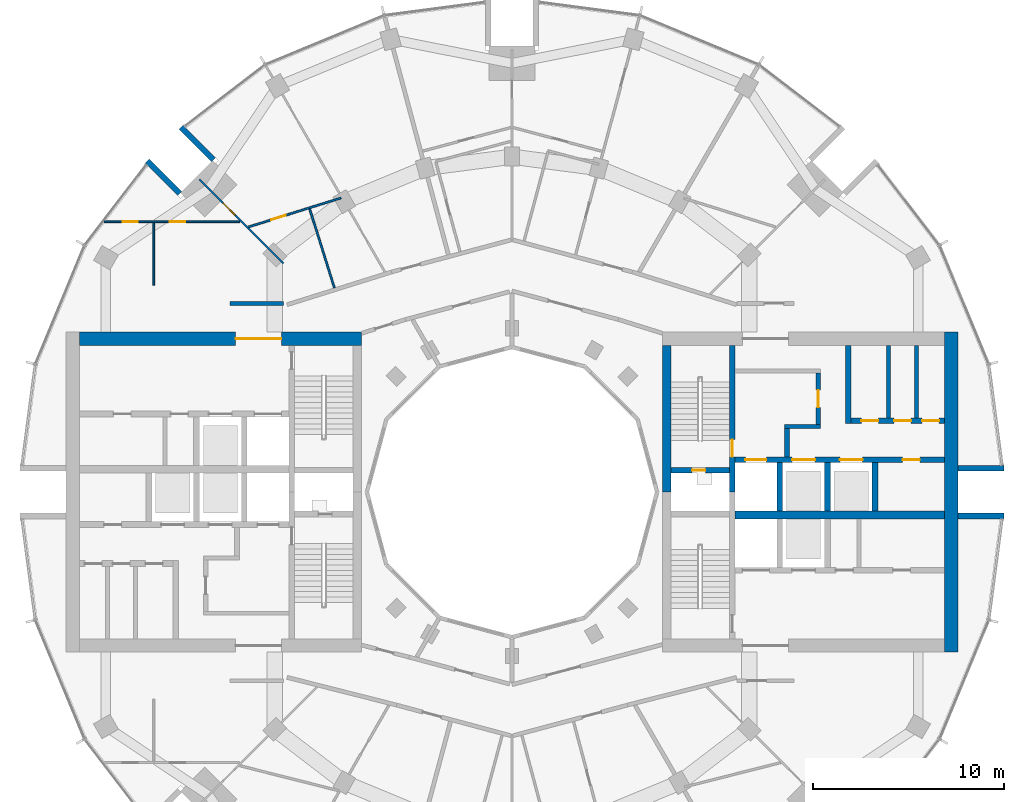
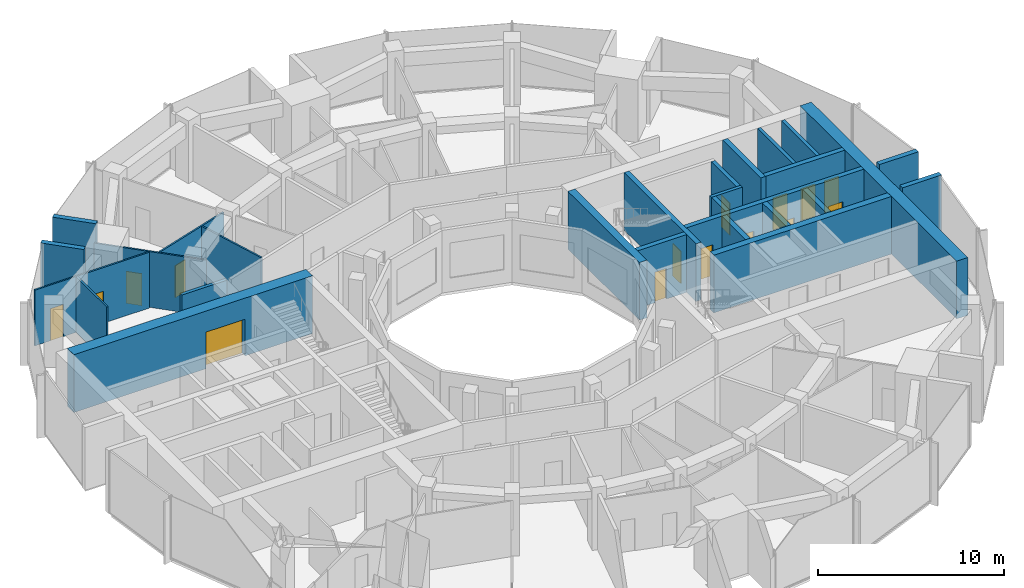
# One storey, part 11 of 15: 27 walls, 15 doors, 15 openings.
"""IFC4 building model written with IfcOpenShell, lengths in metres."""

from ifc_helpers import new_model, si_unit, direction, frame, frame_2d, origin, place, context, subcontext, project, spatial, rectangle, extrude, material, layer, layer_set, type_object, element, fill, save


model = new_model("IFC4")

# Units and contexts
model_context = context("Model", 3, precision=1e-05, world=origin(), true_north=direction((0.0, 1.0)))
body_context = subcontext(model_context, "Body", "Model", "MODEL_VIEW")
ifc_project = project(units=[si_unit("LENGTHUNIT", "METRE"), si_unit("AREAUNIT", "SQUARE_METRE"), si_unit("VOLUMEUNIT", "CUBIC_METRE"), si_unit("PLANEANGLEUNIT", "RADIAN"), si_unit("MASSUNIT", "GRAM", prefix="KILO")], contexts=[model_context])

# Site, building, storey
site_placement = place(None, origin())
site = spatial("IfcSite", under=ifc_project, at=site_placement, CompositionType="ELEMENT")
building_placement = place(site_placement, origin())
building = spatial("IfcBuilding", under=site, at=building_placement, Name="Torre Brocal", CompositionType="ELEMENT")
storey_placement = place(building_placement, frame((0.0, 0.0, 198.699951171875)))
storey = spatial("IfcBuildingStorey", under=building, at=storey_placement, Name="L46", CompositionType="ELEMENT", Elevation=198.699951171875)

# Walls
ifc_material_1 = material(Name="Masonry block", Category="masonry")
ifc_layer_1 = layer(ifc_material_1, 0.199951171875)
ifc_layer_set_1 = layer_set([ifc_layer_1], Name="Masonry block")
wall_type_1 = type_object("IfcWallType", Name="CORE PARTITION 200", PredefinedType="PARTITIONING", material=ifc_layer_set_1)
for number, where, z_axis, x_axis, name in (
    (1, (99.760009765625, 78.89990234375, 0.0), (0.0, 0.0, 1.0), (0.0, 1.0, 0.0), "Wall CP200"),
    (2, (101.22998046875, 78.89990234375, 0.0), (0.0, 0.0, 1.0), (0.0, 1.0, 0.0), "Wall CP200"),
):
    element("IfcWall", number, at=place(storey_placement, frame(where, z_axis=z_axis, x_axis=x_axis)), inside=storey, type_object=wall_type_1, Name=name, PredefinedType="PARTITIONING", context=body_context, shape_type="SweptSolid", body=[
        extrude(rectangle(XDim=3.800048828125, YDim=0.199951171875, at=frame_2d((1.89990234375, 0.0))), origin(), (0.0, 0.0, 1.0), 3.780029296875),
    ])
ifc_material_2 = material(Name="Concrete C70", Category="concrete")
ifc_layer_2 = layer(ifc_material_2, 0.199951171875)
ifc_layer_set_2 = layer_set([ifc_layer_2], Name="Concrete C70")
wall_type_2 = type_object("IfcWallType", Name="CORE WALL 200 C70", PredefinedType="SHEAR", material=ifc_layer_set_2)
wall_1_placement = place(storey_placement, frame((94.300048828125, 78.449951171875, 0.0), z_axis=(0.0, 0.0, 1.0), x_axis=(1.0, 0.0, 0.0)))
element("IfcWall", 3, at=wall_1_placement, inside=storey, type_object=wall_type_2, Name="Wall CW200-70", PredefinedType="SHEAR", context=body_context, shape_type="SweptSolid", body=[
    extrude(rectangle(XDim=1.89990234375, YDim=0.199951171875, at=frame_2d((0.949951171875, 0.0))), origin(), (0.0, 0.0, 1.0), 3.780029296875),
])

# Wall, opening, door
ifc_material_3 = material(Name="Concrete C70", Category="concrete")
ifc_layer_3 = layer(ifc_material_3, 0.25)
ifc_layer_set_3 = layer_set([ifc_layer_3], Name="Concrete C70")
wall_type_3 = type_object("IfcWallType", Name="CORE WALL 250 C70", PredefinedType="SHEAR", material=ifc_layer_set_3)
wall_2_placement = place(storey_placement, frame((96.074951171875, 78.550048828125, 0.0), z_axis=(0.0, 0.0, 1.0), x_axis=(0.0, 1.0, 0.0)))
wall_2 = element("IfcWall", 4, at=wall_2_placement, inside=storey, type_object=wall_type_3, Name="Wall CW250-70", PredefinedType="SHEAR", context=body_context, shape_type="SweptSolid", body=[
    extrude(rectangle(XDim=2.699951171875, YDim=0.25, at=frame_2d((1.35009765625, 0.0))), origin(), (0.0, 0.0, 1.0), 3.780029296875),
])
opening_1_placement = place(wall_2_placement, frame((0.89990234375, 0.0, 0.0)))
opening_1 = element("IfcOpeningElement", 5, at=opening_1_placement, cuts=wall_2, Name="Opening E-D26", PredefinedType="OPENING", context=body_context, shape_type="SweptSolid", body=[
    extrude(rectangle(XDim=0.89990234375, YDim=2.10009765625, at=frame_2d((0.449951171875, 1.050048828125))), frame((0.0, 0.135009765625, 0.0), z_axis=(0.0, -1.0, 0.0), x_axis=(1.0, 0.0, 0.0)), (0.0, 0.0, 1.0), 0.27001953125),
])
ifc_material_4 = material(Name="Steel A653", Category="steel")
door_type_1 = type_object("IfcDoorType", Name="LOBBY DOOR FD120 900X2100", OperationType="SINGLE_SWING_RIGHT", PredefinedType="DOOR", material=ifc_material_4)
door_1_placement = place(opening_1_placement, origin())
door_1 = element("IfcDoor", 6, at=door_1_placement, inside=storey, type_object=door_type_1, Name="Door E-D26", OperationType="SINGLE_SWING_LEFT", OverallHeight=2.10009765625, OverallWidth=0.89990234375, PredefinedType="DOOR", context=body_context, shape_type="SweptSolid", body=[
    extrude(rectangle(XDim=0.89990234375, YDim=2.10009765625, at=frame_2d((0.449951171875, 1.050048828125))), frame((0.0, 0.02490234375, 0.0), z_axis=(0.0, -1.0, 0.0), x_axis=(1.0, 0.0, 0.0)), (0.0, 0.0, 1.0), 0.050048828125),
])
fill(opening_1, door_1)

# Wall
wall_3_placement = place(storey_placement, frame((94.425048828125, 76.85009765625, 0.0), z_axis=(0.0, 0.0, 1.0), x_axis=(0.0, 1.0, 0.0)))
element("IfcWall", 7, at=wall_3_placement, inside=storey, type_object=wall_type_3, Name="Wall CW250-70", PredefinedType="SHEAR", context=body_context, shape_type="SweptSolid", body=[
    extrude(rectangle(XDim=1.5, YDim=0.25, at=frame_2d((0.75, 0.0))), origin(), (0.0, 0.0, 1.0), 3.780029296875),
])

# Wall, opening, door
ifc_material_5 = material(Name="Concrete C70", Category="concrete")
ifc_layer_4 = layer(ifc_material_5, 0.300048828125)
ifc_layer_set_4 = layer_set([ifc_layer_4], Name="Concrete C70")
wall_type_4 = type_object("IfcWallType", Name="CORE WALL 300 C70", PredefinedType="SHEAR", material=ifc_layer_set_4)
wall_4_placement = place(storey_placement, frame((91.550048828125, 75.0, 0.0), z_axis=(0.0, 0.0, 1.0), x_axis=(0.0, 1.0, 0.0)))
wall_4 = element("IfcWall", 8, at=wall_4_placement, inside=storey, type_object=wall_type_4, Name="Wall CW300-70", PredefinedType="SHEAR", context=body_context, shape_type="SweptSolid", body=[
    extrude(rectangle(XDim=7.699951171875, YDim=0.300048828125, at=frame_2d((3.85009765625, 0.0))), origin(), (0.0, 0.0, 1.0), 3.780029296875),
])
opening_2_placement = place(wall_4_placement, frame((1.85009765625, 0.0, 0.0)))
opening_2 = element("IfcOpeningElement", 9, at=opening_2_placement, cuts=wall_4, Name="Opening E-D02", PredefinedType="OPENING", context=body_context, shape_type="SweptSolid", body=[
    extrude(rectangle(XDim=0.89990234375, YDim=2.10009765625, at=frame_2d((0.449951171875, 1.050048828125))), frame((0.0, 0.159912109375, 0.0), z_axis=(0.0, -1.0, 0.0), x_axis=(1.0, 0.0, 0.0)), (0.0, 0.0, 1.0), 0.320068359375),
])
ifc_material_6 = material(Name="Steel A653", Category="steel")
door_type_2 = type_object("IfcDoorType", Name="STAIR DOOR FD120 900X2100", OperationType="SINGLE_SWING_RIGHT", PredefinedType="DOOR", material=ifc_material_6)
door_2_placement = place(opening_2_placement, origin())
door_2 = element("IfcDoor", 10, at=door_2_placement, inside=storey, type_object=door_type_2, Name="Door E-D02", OperationType="SINGLE_SWING_LEFT", OverallHeight=2.10009765625, OverallWidth=0.89990234375, PredefinedType="DOOR", context=body_context, shape_type="SweptSolid", body=[
    extrude(rectangle(XDim=0.89990234375, YDim=2.10009765625, at=frame_2d((0.449951171875, 1.050048828125))), frame((0.0, 0.02490234375, 0.0), z_axis=(0.0, -1.0, 0.0), x_axis=(1.0, 0.0, 0.0)), (0.0, 0.0, 1.0), 0.050048828125),
])
fill(opening_2, door_2)

wall_5_placement = place(storey_placement, frame((88.35009765625, 76.14990234375, 0.0), z_axis=(0.0, 0.0, 1.0), x_axis=(1.0, 0.0, 0.0)))
wall_5 = element("IfcWall", 11, at=wall_5_placement, inside=storey, type_object=wall_type_4, Name="Wall CW300-70", PredefinedType="SHEAR", context=body_context, shape_type="SweptSolid", body=[
    extrude(rectangle(XDim=3.0498046875, YDim=0.300048828125, at=frame_2d((1.52490234375, 0.0))), origin(), (0.0, 0.0, 1.0), 3.780029296875),
])
opening_3_placement = place(wall_5_placement, frame((1.10009765625, 0.0, 0.0)))
opening_3 = element("IfcOpeningElement", 12, at=opening_3_placement, cuts=wall_5, Name="Opening E-D01", PredefinedType="OPENING", context=body_context, shape_type="SweptSolid", body=[
    extrude(rectangle(XDim=0.699951171875, YDim=2.0, at=frame_2d((0.35009765625, 1.0))), frame((0.0, 0.159912109375, 0.0), z_axis=(0.0, -1.0, 0.0), x_axis=(1.0, 0.0, 0.0)), (0.0, 0.0, 1.0), 0.320068359375),
])
ifc_material_7 = material(Name="Steel A653", Category="steel")
door_type_3 = type_object("IfcDoorType", Name="RISER DOOR FD120 700X2000", OperationType="SINGLE_SWING_LEFT", PredefinedType="DOOR", material=ifc_material_7)
door_3_placement = place(opening_3_placement, frame((0.699951171875, 0.0, 0.0), z_axis=(0.0, 0.0, 1.0), x_axis=(-1.0, 0.0, 0.0)))
door_3 = element("IfcDoor", 13, at=door_3_placement, inside=storey, type_object=door_type_3, Name="Door E-D01", OperationType="SINGLE_SWING_RIGHT", OverallHeight=2.0, OverallWidth=0.699951171875, PredefinedType="DOOR", context=body_context, shape_type="SweptSolid", body=[
    extrude(rectangle(XDim=0.699951171875, YDim=2.0, at=frame_2d((0.35009765625, 1.0))), frame((0.0, 0.02490234375, 0.0), z_axis=(0.0, -1.0, 0.0), x_axis=(1.0, 0.0, 0.0)), (0.0, 0.0, 1.0), 0.050048828125),
])
fill(opening_3, door_3)

# Wall, openings, doors
wall_6_placement = place(storey_placement, frame((91.699951171875, 76.699951171875, 0.0), z_axis=(0.0, 0.0, 1.0), x_axis=(1.0, 0.0, 0.0)))
wall_6 = element("IfcWall", 14, at=wall_6_placement, inside=storey, type_object=wall_type_4, Name="Wall CW300-70", PredefinedType="SHEAR", context=body_context, shape_type="SweptSolid", body=[
    extrude(rectangle(XDim=11.0, YDim=0.300048828125, at=frame_2d((5.5, 0.0))), origin(), (0.0, 0.0, 1.0), 3.780029296875),
])
opening_4_placement = place(wall_6_placement, frame((0.550048828125, 0.0, 0.0)))
opening_4 = element("IfcOpeningElement", 15, at=opening_4_placement, cuts=wall_6, Name="Opening LD", PredefinedType="OPENING", context=body_context, shape_type="SweptSolid", body=[
    extrude(rectangle(XDim=1.10009765625, YDim=2.10009765625, at=frame_2d((0.550048828125, 1.050048828125))), frame((0.0, 0.159912109375, 0.0), z_axis=(0.0, -1.0, 0.0), x_axis=(1.0, 0.0, 0.0)), (0.0, 0.0, 1.0), 0.320068359375),
])
opening_5_placement = place(wall_6_placement, frame((3.0, 0.0, 0.0)))
opening_5 = element("IfcOpeningElement", 16, at=opening_5_placement, cuts=wall_6, Name="Opening LD12", PredefinedType="OPENING", context=body_context, shape_type="SweptSolid", body=[
    extrude(rectangle(XDim=1.199951171875, YDim=2.10009765625, at=frame_2d((0.60009765625, 1.050048828125))), frame((0.0, 0.159912109375, 0.0), z_axis=(0.0, -1.0, 0.0), x_axis=(1.0, 0.0, 0.0)), (0.0, 0.0, 1.0), 0.320068359375),
])
opening_6_placement = place(wall_6_placement, frame((5.5, 0.0, 0.0)))
opening_6 = element("IfcOpeningElement", 17, at=opening_6_placement, cuts=wall_6, Name="Opening LD12", PredefinedType="OPENING", context=body_context, shape_type="SweptSolid", body=[
    extrude(rectangle(XDim=1.199951171875, YDim=2.10009765625, at=frame_2d((0.60009765625, 1.050048828125))), frame((0.0, 0.159912109375, 0.0), z_axis=(0.0, -1.0, 0.0), x_axis=(1.0, 0.0, 0.0)), (0.0, 0.0, 1.0), 0.320068359375),
])
opening_7_placement = place(wall_6_placement, frame((8.800048828125, 0.0, 0.0)))
opening_7 = element("IfcOpeningElement", 18, at=opening_7_placement, cuts=wall_6, Name="Opening E-D04", PredefinedType="OPENING", context=body_context, shape_type="SweptSolid", body=[
    extrude(rectangle(XDim=0.89990234375, YDim=2.10009765625, at=frame_2d((0.449951171875, 1.050048828125))), frame((0.0, 0.159912109375, 0.0), z_axis=(0.0, -1.0, 0.0), x_axis=(1.0, 0.0, 0.0)), (0.0, 0.0, 1.0), 0.320068359375),
])
ifc_material_8 = material(Name="Stainless steel AISI 316", Category="steel")
door_type_4 = type_object("IfcDoorType", Name="LIFT LANDING DOOR 1100X2100", OperationType="DOUBLE_DOOR_SLIDING", PredefinedType="DOOR", material=ifc_material_8)
door_4_placement = place(opening_4_placement, origin())
door_4 = element("IfcDoor", 19, at=door_4_placement, inside=storey, type_object=door_type_4, Name="Door LD", OperationType="DOUBLE_DOOR_SLIDING", OverallHeight=2.10009765625, OverallWidth=1.10009765625, PredefinedType="DOOR", context=body_context, shape_type="SweptSolid", body=[
    extrude(rectangle(XDim=1.10009765625, YDim=2.10009765625, at=frame_2d((0.550048828125, 1.050048828125))), frame((0.0, 0.02490234375, 0.0), z_axis=(0.0, -1.0, 0.0), x_axis=(1.0, 0.0, 0.0)), (0.0, 0.0, 1.0), 0.050048828125),
])
fill(opening_4, door_4)
ifc_material_9 = material(Name="Stainless steel AISI 316", Category="steel")
door_type_5 = type_object("IfcDoorType", Name="LIFT LANDING DOOR 1200X2100", OperationType="DOUBLE_DOOR_SLIDING", PredefinedType="DOOR", material=ifc_material_9)
door_5_placement = place(opening_5_placement, origin())
door_5 = element("IfcDoor", 20, at=door_5_placement, inside=storey, type_object=door_type_5, Name="Door LD12", OperationType="DOUBLE_DOOR_SLIDING", OverallHeight=2.10009765625, OverallWidth=1.199951171875, PredefinedType="DOOR", context=body_context, shape_type="SweptSolid", body=[
    extrude(rectangle(XDim=1.199951171875, YDim=2.10009765625, at=frame_2d((0.60009765625, 1.050048828125))), frame((0.0, 0.02490234375, 0.0), z_axis=(0.0, -1.0, 0.0), x_axis=(1.0, 0.0, 0.0)), (0.0, 0.0, 1.0), 0.050048828125),
])
fill(opening_5, door_5)
door_6_placement = place(opening_6_placement, origin())
door_6 = element("IfcDoor", 21, at=door_6_placement, inside=storey, type_object=door_type_5, Name="Door LD12", OperationType="DOUBLE_DOOR_SLIDING", OverallHeight=2.10009765625, OverallWidth=1.199951171875, PredefinedType="DOOR", context=body_context, shape_type="SweptSolid", body=[
    extrude(rectangle(XDim=1.199951171875, YDim=2.10009765625, at=frame_2d((0.60009765625, 1.050048828125))), frame((0.0, 0.02490234375, 0.0), z_axis=(0.0, -1.0, 0.0), x_axis=(1.0, 0.0, 0.0)), (0.0, 0.0, 1.0), 0.050048828125),
])
fill(opening_6, door_6)
ifc_material_10 = material(Name="Steel A653", Category="steel")
door_type_6 = type_object("IfcDoorType", Name="ROOM DOOR FD30S 900X2100", OperationType="SINGLE_SWING_LEFT", PredefinedType="DOOR", material=ifc_material_10)
door_7_placement = place(opening_7_placement, frame((0.89990234375, 0.0, 0.0), z_axis=(0.0, 0.0, 1.0), x_axis=(-1.0, 0.0, 0.0)))
door_7 = element("IfcDoor", 22, at=door_7_placement, inside=storey, type_object=door_type_6, Name="Door E-D04", OperationType="SINGLE_SWING_LEFT", OverallHeight=2.10009765625, OverallWidth=0.89990234375, PredefinedType="DOOR", context=body_context, shape_type="SweptSolid", body=[
    extrude(rectangle(XDim=0.89990234375, YDim=2.10009765625, at=frame_2d((0.449951171875, 1.050048828125))), frame((0.0, 0.02490234375, 0.0), z_axis=(0.0, -1.0, 0.0), x_axis=(1.0, 0.0, 0.0)), (0.0, 0.0, 1.0), 0.050048828125),
])
fill(opening_7, door_7)

# Walls
for number, where, z_axis, x_axis, name in (
    (23, (94.050048828125, 74.0, 0.0), (0.0, 0.0, 1.0), (0.0, 1.0, 0.0), "Wall CW300-70"),
    (24, (96.550048828125, 74.0, 0.0), (0.0, 0.0, 1.0), (0.0, 1.0, 0.0), "Wall CW300-70"),
    (25, (99.050048828125, 74.0, 0.0), (0.0, 0.0, 1.0), (0.0, 1.0, 0.0), "Wall CW300-70"),
):
    element("IfcWall", number, at=place(storey_placement, frame(where, z_axis=z_axis, x_axis=x_axis)), inside=storey, type_object=wall_type_4, Name=name, PredefinedType="SHEAR", context=body_context, shape_type="SweptSolid", body=[
        extrude(rectangle(XDim=2.550048828125, YDim=0.300048828125, at=frame_2d((1.27490234375, 0.0))), origin(), (0.0, 0.0, 1.0), 3.780029296875),
    ])
wall_7_placement = place(storey_placement, frame((97.64990234375, 78.60009765625, 0.0), z_axis=(0.0, 0.0, 1.0), x_axis=(0.0, 1.0, 0.0)))
element("IfcWall", 26, at=wall_7_placement, inside=storey, type_object=wall_type_4, Name="Wall CW300-70", PredefinedType="SHEAR", context=body_context, shape_type="SweptSolid", body=[
    extrude(rectangle(XDim=4.099853515625, YDim=0.300048828125, at=frame_2d((2.0498046875, 0.0))), origin(), (0.0, 0.0, 1.0), 3.780029296875),
])

# Wall, openings, doors
wall_8_placement = place(storey_placement, frame((97.800048828125, 78.75, 0.0), z_axis=(0.0, 0.0, 1.0), x_axis=(1.0, 0.0, 0.0)))
wall_8 = element("IfcWall", 27, at=wall_8_placement, inside=storey, type_object=wall_type_4, Name="Wall CW300-70", PredefinedType="SHEAR", context=body_context, shape_type="SweptSolid", body=[
    extrude(rectangle(XDim=4.89990234375, YDim=0.300048828125, at=frame_2d((2.449951171875, 0.0))), origin(), (0.0, 0.0, 1.0), 3.780029296875),
])
opening_8_placement = place(wall_8_placement, frame((0.530029296875, 0.0, 0.0)))
opening_8 = element("IfcOpeningElement", 28, at=opening_8_placement, cuts=wall_8, Name="Opening E-D28", PredefinedType="OPENING", context=body_context, shape_type="SweptSolid", body=[
    extrude(rectangle(XDim=0.89990234375, YDim=2.10009765625, at=frame_2d((0.449951171875, 1.050048828125))), frame((0.0, 0.159912109375, 0.0), z_axis=(0.0, -1.0, 0.0), x_axis=(1.0, 0.0, 0.0)), (0.0, 0.0, 1.0), 0.320068359375),
])
opening_9_placement = place(wall_8_placement, frame((2.2451171875, 0.0, 0.0)))
opening_9 = element("IfcOpeningElement", 29, at=opening_9_placement, cuts=wall_8, Name="Opening E-D09", PredefinedType="OPENING", context=body_context, shape_type="SweptSolid", body=[
    extrude(rectangle(XDim=0.89990234375, YDim=2.10009765625, at=frame_2d((0.449951171875, 1.050048828125))), frame((0.0, 0.159912109375, 0.0), z_axis=(0.0, -1.0, 0.0), x_axis=(1.0, 0.0, 0.0)), (0.0, 0.0, 1.0), 0.320068359375),
])
opening_10_placement = place(wall_8_placement, frame((3.715087890625, 0.0, 0.0)))
opening_10 = element("IfcOpeningElement", 30, at=opening_10_placement, cuts=wall_8, Name="Opening E-D10", PredefinedType="OPENING", context=body_context, shape_type="SweptSolid", body=[
    extrude(rectangle(XDim=0.89990234375, YDim=2.10009765625, at=frame_2d((0.449951171875, 1.050048828125))), frame((0.0, 0.159912109375, 0.0), z_axis=(0.0, -1.0, 0.0), x_axis=(1.0, 0.0, 0.0)), (0.0, 0.0, 1.0), 0.320068359375),
])
door_8_placement = place(opening_8_placement, origin())
door_8 = element("IfcDoor", 31, at=door_8_placement, inside=storey, type_object=door_type_6, Name="Door E-D28", OperationType="SINGLE_SWING_RIGHT", OverallHeight=2.10009765625, OverallWidth=0.89990234375, PredefinedType="DOOR", context=body_context, shape_type="SweptSolid", body=[
    extrude(rectangle(XDim=0.89990234375, YDim=2.10009765625, at=frame_2d((0.449951171875, 1.050048828125))), frame((0.0, 0.02490234375, 0.0), z_axis=(0.0, -1.0, 0.0), x_axis=(1.0, 0.0, 0.0)), (0.0, 0.0, 1.0), 0.050048828125),
])
fill(opening_8, door_8)
door_9_placement = place(opening_9_placement, origin())
door_9 = element("IfcDoor", 32, at=door_9_placement, inside=storey, type_object=door_type_6, Name="Door E-D09", OperationType="SINGLE_SWING_LEFT", OverallHeight=2.10009765625, OverallWidth=0.89990234375, PredefinedType="DOOR", context=body_context, shape_type="SweptSolid", body=[
    extrude(rectangle(XDim=0.89990234375, YDim=2.10009765625, at=frame_2d((0.449951171875, 1.050048828125))), frame((0.0, 0.02490234375, 0.0), z_axis=(0.0, -1.0, 0.0), x_axis=(1.0, 0.0, 0.0)), (0.0, 0.0, 1.0), 0.050048828125),
])
fill(opening_9, door_9)
door_10_placement = place(opening_10_placement, origin())
door_10 = element("IfcDoor", 33, at=door_10_placement, inside=storey, type_object=door_type_6, Name="Door E-D10", OperationType="SINGLE_SWING_LEFT", OverallHeight=2.10009765625, OverallWidth=0.89990234375, PredefinedType="DOOR", context=body_context, shape_type="SweptSolid", body=[
    extrude(rectangle(XDim=0.89990234375, YDim=2.10009765625, at=frame_2d((0.449951171875, 1.050048828125))), frame((0.0, 0.02490234375, 0.0), z_axis=(0.0, -1.0, 0.0), x_axis=(1.0, 0.0, 0.0)), (0.0, 0.0, 1.0), 0.050048828125),
])
fill(opening_10, door_10)

# Walls
ifc_material_11 = material(Name="Concrete C70", Category="concrete")
ifc_layer_5 = layer(ifc_material_11, 0.39990234375)
ifc_layer_set_5 = layer_set([ifc_layer_5], Name="Concrete C70")
wall_type_5 = type_object("IfcWallType", Name="CORE WALL 400 C70", PredefinedType="SHEAR", material=ifc_layer_set_5)
wall_9_placement = place(storey_placement, frame((91.699951171875, 73.800048828125, 0.0), z_axis=(0.0, 0.0, 1.0), x_axis=(1.0, 0.0, 0.0)))
element("IfcWall", 34, at=wall_9_placement, inside=storey, type_object=wall_type_5, Name="Wall CW400-70", PredefinedType="SHEAR", context=body_context, shape_type="SweptSolid", body=[
    extrude(rectangle(XDim=11.0, YDim=0.39990234375, at=frame_2d((5.5, 0.0))), origin(), (0.0, 0.0, 1.0), 3.780029296875),
])
ifc_material_12 = material(Name="Concrete C70", Category="concrete")
ifc_layer_6 = layer(ifc_material_12, 0.449951171875)
ifc_layer_set_6 = layer_set([ifc_layer_6], Name="Concrete C70")
wall_type_6 = type_object("IfcWallType", Name="CORE WALL 450 C70", PredefinedType="SHEAR", material=ifc_layer_set_6)
wall_10_placement = place(storey_placement, frame((88.125, 75.0, 0.0), z_axis=(0.0, 0.0, 1.0), x_axis=(0.0, 1.0, 0.0)))
element("IfcWall", 35, at=wall_10_placement, inside=storey, type_object=wall_type_6, Name="Wall CW450-70", PredefinedType="SHEAR", context=body_context, shape_type="SweptSolid", body=[
    extrude(rectangle(XDim=7.699951171875, YDim=0.449951171875, at=frame_2d((3.85009765625, 0.0))), origin(), (0.0, 0.0, 1.0), 3.780029296875),
])
ifc_material_13 = material(Name="Concrete C70", Category="concrete")
ifc_layer_7 = layer(ifc_material_13, 0.699951171875)
ifc_layer_set_7 = layer_set([ifc_layer_7], Name="Concrete C70")
wall_type_7 = type_object("IfcWallType", Name="CORE WALL 700 C70", PredefinedType="SHEAR", material=ifc_layer_set_7)
wall_11_placement = place(storey_placement, frame((103.050048828125, 66.60009765625, 0.0), z_axis=(0.0, 0.0, 1.0), x_axis=(0.0, 1.0, 0.0)))
element("IfcWall", 36, at=wall_11_placement, inside=storey, type_object=wall_type_7, Name="Wall CW700-70", PredefinedType="SHEAR", context=body_context, shape_type="SweptSolid", body=[
    extrude(rectangle(XDim=16.7998046875, YDim=0.699951171875, at=frame_2d((8.39990234375, 0.0))), origin(), (0.0, 0.0, 1.0), 3.780029296875),
])

# Wall, opening, door
wall_12_placement = place(storey_placement, frame((72.10009765625, 83.050048828125, 0.0), z_axis=(0.0, 0.0, 1.0), x_axis=(-1.0, 0.0, 0.0)))
wall_12 = element("IfcWall", 37, at=wall_12_placement, inside=storey, type_object=wall_type_7, Name="Wall CW700-70", PredefinedType="SHEAR", context=body_context, shape_type="SweptSolid", body=[
    extrude(rectangle(XDim=14.800048828125, YDim=0.699951171875, at=frame_2d((7.39990234375, 0.0))), origin(), (0.0, 0.0, 1.0), 3.780029296875),
])
opening_11_placement = place(wall_12_placement, frame((4.199951171875, 0.0, 0.0)))
opening_11 = element("IfcOpeningElement", 38, at=opening_11_placement, cuts=wall_12, Name="Opening W-D12", PredefinedType="OPENING", context=body_context, shape_type="SweptSolid", body=[
    extrude(rectangle(XDim=2.39990234375, YDim=2.39990234375, at=frame_2d((1.199951171875, 1.199951171875))), frame((0.0, 0.35986328125, 0.0), z_axis=(0.0, -1.0, 0.0), x_axis=(1.0, 0.0, 0.0)), (0.0, 0.0, 1.0), 0.719970703125),
])
ifc_material_14 = material(Name="Steel A653", Category="steel")
door_type_7 = type_object("IfcDoorType", Name="DOUBLE FIRE DOOR FD90 2400X2400", OperationType="DOUBLE_DOOR_SINGLE_SWING", PredefinedType="DOOR", material=ifc_material_14)
door_11_placement = place(opening_11_placement, origin())
door_11 = element("IfcDoor", 39, at=door_11_placement, inside=storey, type_object=door_type_7, Name="Door W-D12", OperationType="DOUBLE_DOOR_SINGLE_SWING", OverallHeight=2.39990234375, OverallWidth=2.39990234375, PredefinedType="DOOR", context=body_context, shape_type="SweptSolid", body=[
    extrude(rectangle(XDim=2.39990234375, YDim=2.39990234375, at=frame_2d((1.199951171875, 1.199951171875))), frame((0.0, 0.02490234375, 0.0), z_axis=(0.0, -1.0, 0.0), x_axis=(1.0, 0.0, 0.0)), (0.0, 0.0, 1.0), 0.050048828125),
])
fill(opening_11, door_11)

# Walls
ifc_material_15 = material(Name="Concrete C70", Category="concrete")
ifc_layer_8 = layer(ifc_material_15, 0.300048828125)
ifc_layer_set_8 = layer_set([ifc_layer_8], Name="Concrete C70")
wall_type_8 = type_object("IfcWallType", Name="NOTCH RETURN WALL 300 C70", PredefinedType="NOTDEFINED", material=ifc_layer_set_8)
for number, where, z_axis, x_axis, name in (
    (40, (103.39990234375, 73.75, 0.0), (0.0, 0.0, 1.0), (1.0, 0.0, 0.0), "NOTCH RETURN WALL"),
    (41, (103.39990234375, 76.25, 0.0), (0.0, 0.0, 1.0), (1.0, 0.0, 0.0), "NOTCH RETURN WALL"),
    (42, (64.337646484375, 92.43017578125, 0.0), (0.0, 0.0, 1.0), (-0.707106781187, 0.707106781187, 0.0), "NOTCH RETURN WALL"),
    (43, (62.56982421875, 90.662353515625, 0.0), (0.0, 0.0, 1.0), (-0.707106781187, 0.707106781187, 0.0), "NOTCH RETURN WALL"),
):
    element("IfcWall", number, at=place(storey_placement, frame(where, z_axis=z_axis, x_axis=x_axis)), inside=storey, type_object=wall_type_8, Name=name, PredefinedType="NOTDEFINED", context=body_context, shape_type="SweptSolid", body=[
        extrude(rectangle(XDim=2.415771484375, YDim=0.300048828125, at=frame_2d((1.2080078125, 0.0))), origin(), (0.0, 0.0, 1.0), 4.10009765625),
    ])

# Wall, openings, doors
ifc_material_16 = material(Name="Gypsum board", Category="Gypsum")
ifc_layer_9 = layer(ifc_material_16, 0.10009765625)
ifc_layer_set_9 = layer_set([ifc_layer_9], Name="Gypsum board")
wall_type_9 = type_object("IfcWallType", Name="PARTITION 100", PredefinedType="PARTITIONING", material=ifc_layer_set_9)
wall_13_placement = place(storey_placement, frame((58.60009765625, 89.18798828125, 0.0), z_axis=(0.0, 0.0, 1.0), x_axis=(1.0, 0.0, 0.0)))
wall_13 = element("IfcWall", 44, at=wall_13_placement, inside=storey, type_object=wall_type_9, Name="BATHROOM WALL", PredefinedType="PARTITIONING", context=body_context, shape_type="SweptSolid", body=[
    extrude(rectangle(XDim=7.10205078125, YDim=0.10009765625, at=frame_2d((3.551025390625, 0.0))), origin(), (0.0, 0.0, 1.0), 3.650146484375),
])
opening_12_placement = place(wall_13_placement, frame((3.446533203125, 0.0, 0.0)))
opening_12 = element("IfcOpeningElement", 45, at=opening_12_placement, cuts=wall_13, Name="Opening R04-D16", PredefinedType="OPENING", context=body_context, shape_type="SweptSolid", body=[
    extrude(rectangle(XDim=0.800048828125, YDim=2.10009765625, at=frame_2d((0.39990234375, 1.050048828125))), frame((0.0, 0.06005859375, 0.0), z_axis=(0.0, -1.0, 0.0), x_axis=(1.0, 0.0, 0.0)), (0.0, 0.0, 1.0), 0.1201171875),
])
opening_13_placement = place(wall_13_placement, frame((0.965087890625, 0.0, 0.0)))
opening_13 = element("IfcOpeningElement", 46, at=opening_13_placement, cuts=wall_13, Name="Opening R04-D17", PredefinedType="OPENING", context=body_context, shape_type="SweptSolid", body=[
    extrude(rectangle(XDim=0.800048828125, YDim=2.10009765625, at=frame_2d((0.39990234375, 1.050048828125))), frame((0.0, 0.06005859375, 0.0), z_axis=(0.0, -1.0, 0.0), x_axis=(1.0, 0.0, 0.0)), (0.0, 0.0, 1.0), 0.1201171875),
])
ifc_material_17 = material(Name="Timber", Category="wood")
door_type_8 = type_object("IfcDoorType", Name="BATHROOM DOOR 800X2100", OperationType="SINGLE_SWING_LEFT", PredefinedType="DOOR", material=ifc_material_17)
door_12_placement = place(opening_12_placement, frame((0.800048828125, 0.0, 0.0), z_axis=(0.0, 0.0, 1.0), x_axis=(-1.0, 0.0, 0.0)))
door_12 = element("IfcDoor", 47, at=door_12_placement, inside=storey, type_object=door_type_8, Name="R04-D16", OperationType="SINGLE_SWING_RIGHT", OverallHeight=2.10009765625, OverallWidth=0.800048828125, PredefinedType="DOOR", context=body_context, shape_type="SweptSolid", body=[
    extrude(rectangle(XDim=0.800048828125, YDim=2.10009765625, at=frame_2d((0.39990234375, 1.050048828125))), frame((0.0, 0.02490234375, 0.0), z_axis=(0.0, -1.0, 0.0), x_axis=(1.0, 0.0, 0.0)), (0.0, 0.0, 1.0), 0.050048828125),
])
fill(opening_12, door_12)
door_13_placement = place(opening_13_placement, origin())
door_13 = element("IfcDoor", 48, at=door_13_placement, inside=storey, type_object=door_type_8, Name="R04-D17", OperationType="SINGLE_SWING_LEFT", OverallHeight=2.10009765625, OverallWidth=0.800048828125, PredefinedType="DOOR", context=body_context, shape_type="SweptSolid", body=[
    extrude(rectangle(XDim=0.800048828125, YDim=2.10009765625, at=frame_2d((0.39990234375, 1.050048828125))), frame((0.0, 0.02490234375, 0.0), z_axis=(0.0, -1.0, 0.0), x_axis=(1.0, 0.0, 0.0)), (0.0, 0.0, 1.0), 0.050048828125),
])
fill(opening_13, door_13)

# Wall
wall_14_placement = place(storey_placement, frame((61.199951171875, 85.85498046875, 0.0), z_axis=(0.0, 0.0, 1.0), x_axis=(0.0, 1.0, 0.0)))
element("IfcWall", 49, at=wall_14_placement, inside=storey, type_object=wall_type_9, Name="BATHROOM WALL", PredefinedType="PARTITIONING", context=body_context, shape_type="SweptSolid", body=[
    extrude(rectangle(XDim=3.282958984375, YDim=0.10009765625, at=frame_2d((1.6416015625, 0.0))), origin(), (0.0, 0.0, 1.0), 3.650146484375),
])

# Wall, opening, door
wall_15_placement = place(storey_placement, frame((63.5986328125, 91.408203125, 0.0), z_axis=(0.0, 0.0, 1.0), x_axis=(0.706949994766, -0.70726353285, 0.0)))
wall_15 = element("IfcWall", 50, at=wall_15_placement, inside=storey, type_object=wall_type_9, Name="BATHROOM WALL", PredefinedType="PARTITIONING", context=body_context, shape_type="SweptSolid", body=[
    extrude(rectangle(XDim=6.229248046875, YDim=0.10009765625, at=frame_2d((3.11474609375, 0.0))), origin(), (0.0, 0.0, 1.0), 3.650146484375),
])
opening_14_placement = place(wall_15_placement, frame((1.752685546875, 0.0, 0.0)))
opening_14 = element("IfcOpeningElement", 51, at=opening_14_placement, cuts=wall_15, Name="Opening R04-D15", PredefinedType="OPENING", context=body_context, shape_type="SweptSolid", body=[
    extrude(rectangle(XDim=0.89990234375, YDim=2.10009765625, at=frame_2d((0.449951171875, 1.050048828125))), frame((0.0, 0.06005859375, 0.0), z_axis=(0.0, -1.0, 0.0), x_axis=(1.0, 0.0, 0.0)), (0.0, 0.0, 1.0), 0.1201171875),
])
ifc_material_18 = material(Name="Timber", Category="wood")
door_type_9 = type_object("IfcDoorType", Name="ROOM DOOR 900X2100", OperationType="SINGLE_SWING_LEFT", PredefinedType="DOOR", material=ifc_material_18)
door_14_placement = place(opening_14_placement, frame((0.89990234375, 0.0, 0.0), z_axis=(0.0, 0.0, 1.0), x_axis=(-1.0, 0.0, 0.0)))
door_14 = element("IfcDoor", 52, at=door_14_placement, inside=storey, type_object=door_type_9, Name="R04-D15", OperationType="SINGLE_SWING_RIGHT", OverallHeight=2.10009765625, OverallWidth=0.89990234375, PredefinedType="DOOR", context=body_context, shape_type="SweptSolid", body=[
    extrude(rectangle(XDim=0.89990234375, YDim=2.10009765625, at=frame_2d((0.449951171875, 1.050048828125))), frame((0.0, 0.02490234375, 0.0), z_axis=(0.0, -1.0, 0.0), x_axis=(1.0, 0.0, 0.0)), (0.0, 0.0, 1.0), 0.050048828125),
])
fill(opening_14, door_14)

wall_16_placement = place(storey_placement, frame((66.18408203125, 88.917236328125, 0.0), z_axis=(0.0, 0.0, 1.0), x_axis=(0.954213083528, 0.299127717246, 0.0)))
wall_16 = element("IfcWall", 53, at=wall_16_placement, inside=storey, type_object=wall_type_9, Name="BATHROOM WALL", PredefinedType="PARTITIONING", context=body_context, shape_type="SweptSolid", body=[
    extrude(rectangle(XDim=5.0693359375, YDim=0.10009765625, at=frame_2d((2.53466796875, 0.0))), origin(), (0.0, 0.0, 1.0), 3.650146484375),
])
opening_15_placement = place(wall_16_placement, frame((1.237060546875, 0.0, 0.0)))
opening_15 = element("IfcOpeningElement", 54, at=opening_15_placement, cuts=wall_16, Name="Opening R04-D13", PredefinedType="OPENING", context=body_context, shape_type="SweptSolid", body=[
    extrude(rectangle(XDim=0.800048828125, YDim=2.10009765625, at=frame_2d((0.39990234375, 1.050048828125))), frame((0.0, 0.06005859375, 0.0), z_axis=(0.0, -1.0, 0.0), x_axis=(1.0, 0.0, 0.0)), (0.0, 0.0, 1.0), 0.1201171875),
])
door_15_placement = place(opening_15_placement, frame((0.800048828125, 0.0, 0.0), z_axis=(0.0, 0.0, 1.0), x_axis=(-1.0, 0.0, 0.0)))
door_15 = element("IfcDoor", 55, at=door_15_placement, inside=storey, type_object=door_type_8, Name="R04-D13", OperationType="SINGLE_SWING_RIGHT", OverallHeight=2.10009765625, OverallWidth=0.800048828125, PredefinedType="DOOR", context=body_context, shape_type="SweptSolid", body=[
    extrude(rectangle(XDim=0.800048828125, YDim=2.10009765625, at=frame_2d((0.39990234375, 1.050048828125))), frame((0.0, 0.02490234375, 0.0), z_axis=(0.0, -1.0, 0.0), x_axis=(1.0, 0.0, 0.0)), (0.0, 0.0, 1.0), 0.050048828125),
])
fill(opening_15, door_15)

# Walls
wall_17_placement = place(storey_placement, frame((69.381103515625, 89.8671875, 0.0), z_axis=(0.0, 0.0, 1.0), x_axis=(0.29908659099, -0.954225974856, 0.0)))
element("IfcWall", 56, at=wall_17_placement, inside=storey, type_object=wall_type_9, Name="BATHROOM WALL", PredefinedType="PARTITIONING", context=body_context, shape_type="SweptSolid", body=[
    extrude(rectangle(XDim=4.35009765625, YDim=0.10009765625, at=frame_2d((2.175048828125, 0.0))), origin(), (0.0, 0.0, 1.0), 3.650146484375),
])
ifc_material_19 = material(Name="Gypsum board", Category="Gypsum")
ifc_layer_10 = layer(ifc_material_19, 0.199951171875)
ifc_layer_set_10 = layer_set([ifc_layer_10], Name="Gypsum board")
wall_type_10 = type_object("IfcWallType", Name="PARTITION 200 EI60", PredefinedType="PARTITIONING", material=ifc_layer_set_10)
wall_18_placement = place(storey_placement, frame((65.199951171875, 84.89990234375, 0.0), z_axis=(0.0, 0.0, 1.0), x_axis=(1.0, 0.0, 0.0)))
element("IfcWall", 57, at=wall_18_placement, inside=storey, type_object=wall_type_10, Name="GUESTROOM CORRIDOR WALL", PredefinedType="PARTITIONING", context=body_context, shape_type="SweptSolid", body=[
    extrude(rectangle(XDim=2.800048828125, YDim=0.199951171875, at=frame_2d((1.39990234375, 0.0))), origin(), (0.0, 0.0, 1.0), 3.650146484375),
])

save(model, "model.ifc")
